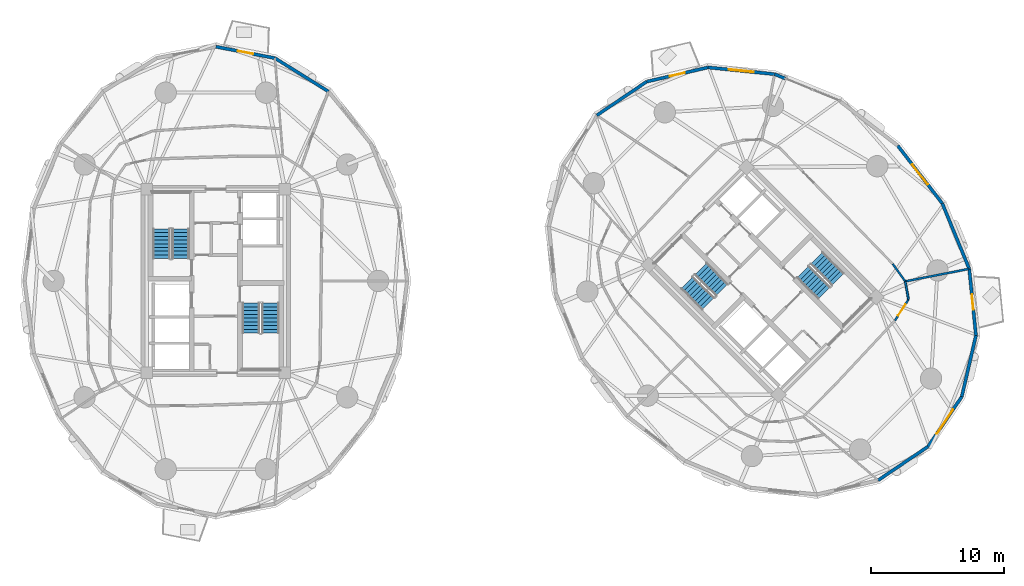
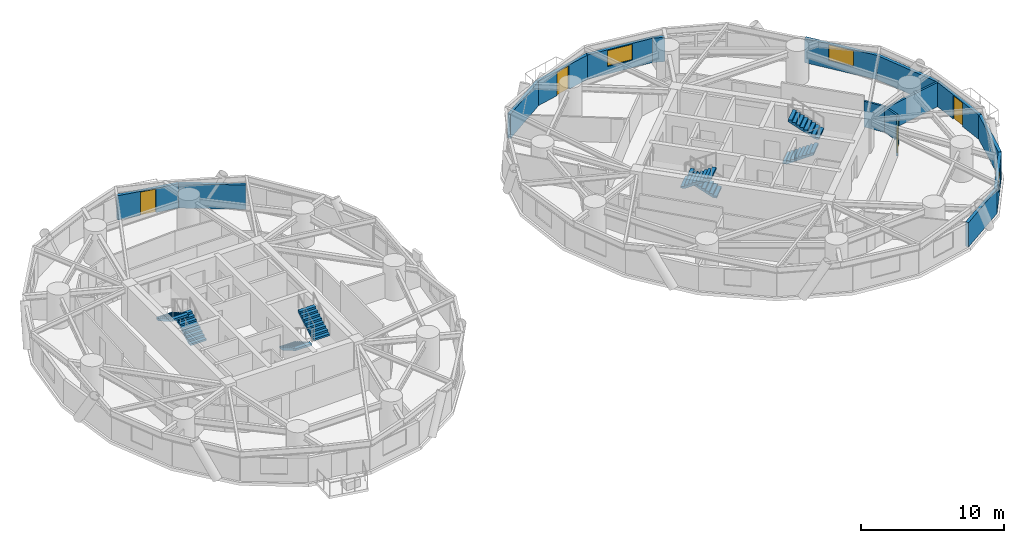
# One storey, part 12 of 15: 16 walls, 8 stair flights, 4 doors, 3 windows, 7 openings, 4 elements without a shape of their own.
"""IFC4 building model written with IfcOpenShell, lengths in metres."""

from ifc_helpers import new_model, si_unit, direction, frame, frame_2d, origin, place, context, subcontext, project, spatial, polyline, rectangle, outline, extrude, source, transform, mapped, material, layer, layer_set, type_object, element, fill, aggregate, save


model = new_model("IFC4")

# Units and contexts
model_context = context("Model", 3, precision=1e-05, world=origin(), true_north=direction((0.0, 1.0)))
body_context = subcontext(model_context, "Body", "Model", "MODEL_VIEW")
ifc_project = project(units=[si_unit("LENGTHUNIT", "METRE"), si_unit("AREAUNIT", "SQUARE_METRE"), si_unit("VOLUMEUNIT", "CUBIC_METRE"), si_unit("PLANEANGLEUNIT", "RADIAN"), si_unit("MASSUNIT", "GRAM", prefix="KILO")], contexts=[model_context])

# Site, building, storey
site_placement = place(None, origin())
site = spatial("IfcSite", under=ifc_project, at=site_placement, CompositionType="ELEMENT")
building_placement = place(site_placement, origin())
building = spatial("IfcBuilding", under=site, at=building_placement, Name="Cununo Teusaquillo Station Towers", CompositionType="ELEMENT")
storey_placement = place(building_placement, frame((0.0, 0.0, 24.909912109375)))
storey = spatial("IfcBuildingStorey", under=building, at=storey_placement, Name="L06", CompositionType="ELEMENT", Elevation=24.909912109375)

# Wall
ifc_material_1 = material(Name="Precast concrete C40/50", Category="concrete")
ifc_layer_1 = layer(ifc_material_1, 0.239990234375)
ifc_layer_set_1 = layer_set([ifc_layer_1], Name="Precast concrete C40/50")
wall_type_1 = type_object("IfcWallType", Name="WL-EXT-240", PredefinedType="SOLIDWALL", material=ifc_layer_set_1)
wall_1_placement = place(storey_placement, frame((20.934814453125, 41.210205078125, 0.0), z_axis=(0.0, 0.0, 1.0), x_axis=(0.848422721916, -0.529319265601, 0.0)))
element("IfcWall", 1, at=wall_1_placement, inside=storey, type_object=wall_type_1, Name="L06 Tower A Exterior Facade Wall C03", PredefinedType="SOLIDWALL", context=body_context, shape_type="SweptSolid", body=[
    extrude(rectangle(XDim=4.715087890625, YDim=0.239990234375, at=frame_2d((2.357421875, 0.0))), origin(), (0.0, 0.0, 1.0), 2.072998046875),
])

# Wall, opening, door
wall_2_placement = place(storey_placement, frame((16.5, 42.070068359375, 0.0), z_axis=(0.0, 0.0, 1.0), x_axis=(0.981717351035, -0.190344536766, 0.0)))
wall_2 = element("IfcWall", 2, at=wall_2_placement, inside=storey, type_object=wall_type_1, Name="L06 Tower A Exterior Facade Wall C04", PredefinedType="SOLIDWALL", context=body_context, shape_type="SweptSolid", body=[
    extrude(rectangle(XDim=4.517333984375, YDim=0.239990234375, at=frame_2d((2.2587890625, 0.0))), origin(), (0.0, 0.0, 1.0), 2.072998046875),
])
shared_shape_1 = source(origin(), body_context, "Body", "SweptSolid", [
    extrude(rectangle(XDim=1.14990234375, YDim=2.0048828125, at=frame_2d((0.574951171875, 1.00244140625))), frame((0.0, 0.1298828125, 0.0), z_axis=(0.0, -1.0, 0.0), x_axis=(1.0, 0.0, 0.0)), (0.0, 0.0, 1.0), 0.260009765625),
])
opening_1_placement = place(wall_2_placement, frame((1.68408203125, 0.0, 0.0)))
opening_1 = element("IfcOpeningElement", 3, at=opening_1_placement, cuts=wall_2, Name="Opening ED-03", PredefinedType="OPENING", context=body_context, shape_type="MappedRepresentation", body=[
    mapped(shared_shape_1, transform((0.0, 0.0, 0.0), x_axis=(1.0, 0.0, 0.0), y_axis=(0.0, 1.0, 0.0), z_axis=(0.0, 0.0, 1.0), scale=1.0)),
])
ifc_material_2 = material(Name="Anodised dark bronze aluminium EN AW-6063-T6", Category="aluminium")
door_type_1 = type_object("IfcDoorType", Name="DR-EXT-BAL", OperationType="NOTDEFINED", PredefinedType="DOOR", material=ifc_material_2)
shared_shape_2 = source(origin(), body_context, "Body", "SweptSolid", [
    extrude(rectangle(XDim=1.14990234375, YDim=2.0048828125, at=frame_2d((0.574951171875, 1.00244140625))), frame((0.0, 0.02490234375, 0.0), z_axis=(0.0, -1.0, 0.0), x_axis=(1.0, 0.0, 0.0)), (0.0, 0.0, 1.0), 0.050048828125),
])
door_1_placement = place(opening_1_placement, origin())
door_1 = element("IfcDoor", 4, at=door_1_placement, inside=storey, type_object=door_type_1, Name="L06 Tower A Tree Balcony Door C04", OperationType="SINGLE_SWING_LEFT", OverallHeight=2.0048828125, OverallWidth=1.14990234375, PredefinedType="DOOR", context=body_context, shape_type="MappedRepresentation", body=[
    mapped(shared_shape_2, transform((0.0, 0.0, 0.0), x_axis=(1.0, 0.0, 0.0), y_axis=(0.0, 1.0, 0.0), z_axis=(0.0, 0.0, 1.0), scale=1.0)),
])
fill(opening_1, door_1)

# Wall
wall_3_placement = place(storey_placement, frame((58.406982421875, 40.01220703125, 0.0), z_axis=(0.0, 0.0, 1.0), x_axis=(0.924556017656, -0.381046152345, 0.0)))
element("IfcWall", 5, at=wall_3_placement, inside=storey, type_object=wall_type_1, Name="L06 Tower B Column Pier Cladding Wall C01-PA", PredefinedType="SOLIDWALL", context=body_context, shape_type="SweptSolid", body=[
    extrude(rectangle(XDim=0.8701171875, YDim=0.239990234375, at=frame_2d((0.43505859375, 0.0))), origin(), (0.0, 0.0, 1.0), 2.072998046875),
])

# Wall, opening, window
wall_4_placement = place(storey_placement, frame((53.41357421875, 40.515869140625, 0.0), z_axis=(0.0, 0.0, 1.0), x_axis=(0.994951574538, -0.100356187272, 0.0)))
wall_4 = element("IfcWall", 6, at=wall_4_placement, inside=storey, type_object=wall_type_1, Name="L06 Tower B Exterior Facade Wall C02", PredefinedType="SOLIDWALL", context=body_context, shape_type="SweptSolid", body=[
    extrude(rectangle(XDim=5.018798828125, YDim=0.239990234375, at=frame_2d((2.50927734375, 0.0))), origin(), (0.0, 0.0, 1.0), 2.072998046875),
])
shared_shape_3 = source(origin(), body_context, "Body", "SweptSolid", [
    extrude(rectangle(XDim=1.89990234375, YDim=1.35009765625, at=frame_2d((0.949951171875, 0.675048828125))), frame((0.0, 0.1298828125, 0.0), z_axis=(0.0, -1.0, 0.0), x_axis=(1.0, 0.0, 0.0)), (0.0, 0.0, 1.0), 0.260009765625),
])
opening_2_placement = place(wall_4_placement, frame((1.55908203125, 0.0, 0.64990234375)))
opening_2 = element("IfcOpeningElement", 7, at=opening_2_placement, cuts=wall_4, Name="Opening WN-02", PredefinedType="OPENING", context=body_context, shape_type="MappedRepresentation", body=[
    mapped(shared_shape_3, transform((0.0, 0.0, 0.0), x_axis=(1.0, 0.0, 0.0), y_axis=(0.0, 1.0, 0.0), z_axis=(0.0, 0.0, 1.0), scale=1.0)),
])
ifc_material_3 = material(Name="Operable acoustic tinted low-E double glazing", Category="glass")
window_type_1 = type_object("IfcWindowType", Name="WIN-OPER-1900", PartitioningType="DOUBLE_PANEL_VERTICAL", PredefinedType="WINDOW", material=ifc_material_3)
shared_shape_4 = source(origin(), body_context, "Body", "SweptSolid", [
    extrude(rectangle(XDim=1.89990234375, YDim=1.35009765625, at=frame_2d((0.949951171875, 0.675048828125))), frame((0.0, 0.030029296875, 0.0), z_axis=(0.0, -1.0, 0.0), x_axis=(1.0, 0.0, 0.0)), (0.0, 0.0, 1.0), 0.06005859375),
])
window_1_placement = place(opening_2_placement, origin())
window_1 = element("IfcWindow", 8, at=window_1_placement, inside=storey, type_object=window_type_1, Name="L06 Tower B Facade Window C02", OverallHeight=1.35009765625, OverallWidth=1.89990234375, PartitioningType="DOUBLE_PANEL_VERTICAL", PredefinedType="WINDOW", context=body_context, shape_type="MappedRepresentation", body=[
    mapped(shared_shape_4, transform((0.0, 0.0, 0.0), x_axis=(1.0, 0.0, 0.0), y_axis=(0.0, 1.0, 0.0), z_axis=(0.0, 0.0, 1.0), scale=1.0)),
])
fill(opening_2, window_1)

# Wall, opening, door
wall_5_placement = place(storey_placement, frame((48.820068359375, 39.45166015625, 0.0), z_axis=(0.0, 0.0, 1.0), x_axis=(0.974197104074, 0.225698919833, 0.0)))
wall_5 = element("IfcWall", 9, at=wall_5_placement, inside=storey, type_object=wall_type_1, Name="L06 Tower B Exterior Facade Wall C03", PredefinedType="SOLIDWALL", context=body_context, shape_type="SweptSolid", body=[
    extrude(rectangle(XDim=4.715087890625, YDim=0.239990234375, at=frame_2d((2.357421875, 0.0))), origin(), (0.0, 0.0, 1.0), 2.072998046875),
])
opening_3_placement = place(wall_5_placement, frame((1.782958984375, 0.0, 0.0)))
opening_3 = element("IfcOpeningElement", 10, at=opening_3_placement, cuts=wall_5, Name="Opening ED-03", PredefinedType="OPENING", context=body_context, shape_type="MappedRepresentation", body=[
    mapped(shared_shape_1, transform((0.0, 0.0, 0.0), x_axis=(1.0, 0.0, 0.0), y_axis=(0.0, 1.0, 0.0), z_axis=(0.0, 0.0, 1.0), scale=1.0)),
])
door_2_placement = place(opening_3_placement, origin())
door_2 = element("IfcDoor", 11, at=door_2_placement, inside=storey, type_object=door_type_1, Name="L06 Tower B Tree Balcony Door C03", OperationType="SINGLE_SWING_LEFT", OverallHeight=2.0048828125, OverallWidth=1.14990234375, PredefinedType="DOOR", context=body_context, shape_type="MappedRepresentation", body=[
    mapped(shared_shape_2, transform((0.0, 0.0, 0.0), x_axis=(1.0, 0.0, 0.0), y_axis=(0.0, 1.0, 0.0), z_axis=(0.0, 0.0, 1.0), scale=1.0)),
])
fill(opening_3, door_2)

# Walls
for number, where, z_axis, x_axis, name in (
    (12, (45.076171875, 36.923828125, 0.0), (0.0, 0.0, 1.0), (0.828776615238, 0.559579594012, 0.0), "L06 Tower B Exterior Facade Wall C04"),
    (13, (69.923828125, 12.076171875, 0.0), (0.0, 0.0, 1.0), (-0.828776615238, -0.559579594012, 0.0), "L06 Tower B Exterior Facade Wall C14"),
):
    element("IfcWall", number, at=place(storey_placement, frame(where, z_axis=z_axis, x_axis=x_axis)), inside=storey, type_object=wall_type_1, Name=name, PredefinedType="SOLIDWALL", context=body_context, shape_type="SweptSolid", body=[
        extrude(rectangle(XDim=4.517333984375, YDim=0.239990234375, at=frame_2d((2.2587890625, 0.0))), origin(), (0.0, 0.0, 1.0), 2.072998046875),
    ])

# Wall, opening, window
wall_6_placement = place(storey_placement, frame((72.45166015625, 15.820068359375, 0.0), z_axis=(0.0, 0.0, 1.0), x_axis=(-0.559579594012, -0.828776615238, 0.0)))
wall_6 = element("IfcWall", 14, at=wall_6_placement, inside=storey, type_object=wall_type_1, Name="L06 Tower B Exterior Facade Wall C15", PredefinedType="SOLIDWALL", context=body_context, shape_type="SweptSolid", body=[
    extrude(rectangle(XDim=4.517333984375, YDim=0.239990234375, at=frame_2d((2.2587890625, 0.0))), origin(), (0.0, 0.0, 1.0), 2.072998046875),
])
shared_shape_5 = source(origin(), body_context, "Body", "SweptSolid", [
    extrude(rectangle(XDim=2.199951171875, YDim=1.35009765625, at=frame_2d((1.10009765625, 0.675048828125))), frame((0.0, 0.1298828125, 0.0), z_axis=(0.0, -1.0, 0.0), x_axis=(1.0, 0.0, 0.0)), (0.0, 0.0, 1.0), 0.260009765625),
])
opening_4_placement = place(wall_6_placement, frame((1.158935546875, 0.0, 0.64990234375)))
opening_4 = element("IfcOpeningElement", 15, at=opening_4_placement, cuts=wall_6, Name="Opening WN-01", PredefinedType="OPENING", context=body_context, shape_type="MappedRepresentation", body=[
    mapped(shared_shape_5, transform((0.0, 0.0, 0.0), x_axis=(1.0, 0.0, 0.0), y_axis=(0.0, 1.0, 0.0), z_axis=(0.0, 0.0, 1.0), scale=1.0)),
])
ifc_material_4 = material(Name="Ceramic-fritted dark low-E double glazing", Category="glass")
window_type_2 = type_object("IfcWindowType", Name="WIN-FRIT-2200", PartitioningType="DOUBLE_PANEL_VERTICAL", PredefinedType="WINDOW", material=ifc_material_4)
shared_shape_6 = source(origin(), body_context, "Body", "SweptSolid", [
    extrude(rectangle(XDim=2.199951171875, YDim=1.35009765625, at=frame_2d((1.10009765625, 0.675048828125))), frame((0.0, 0.030029296875, 0.0), z_axis=(0.0, -1.0, 0.0), x_axis=(1.0, 0.0, 0.0)), (0.0, 0.0, 1.0), 0.06005859375),
])
window_2_placement = place(opening_4_placement, origin())
window_2 = element("IfcWindow", 16, at=window_2_placement, inside=storey, type_object=window_type_2, Name="L06 Tower B Facade Window C15", OverallHeight=1.35009765625, OverallWidth=2.199951171875, PartitioningType="DOUBLE_PANEL_VERTICAL", PredefinedType="WINDOW", context=body_context, shape_type="MappedRepresentation", body=[
    mapped(shared_shape_6, transform((0.0, 0.0, 0.0), x_axis=(1.0, 0.0, 0.0), y_axis=(0.0, 1.0, 0.0), z_axis=(0.0, 0.0, 1.0), scale=1.0)),
])
fill(opening_4, window_2)

# Wall
wall_7_placement = place(storey_placement, frame((73.515869140625, 20.41357421875, 0.0), z_axis=(0.0, 0.0, 1.0), x_axis=(-0.225698919833, -0.974197104074, 0.0)))
element("IfcWall", 17, at=wall_7_placement, inside=storey, type_object=wall_type_1, Name="L06 Tower B Exterior Facade Wall C16", PredefinedType="SOLIDWALL", context=body_context, shape_type="SweptSolid", body=[
    extrude(rectangle(XDim=4.715087890625, YDim=0.239990234375, at=frame_2d((2.357421875, 0.0))), origin(), (0.0, 0.0, 1.0), 2.072998046875),
])

# Wall, opening, door
wall_8_placement = place(storey_placement, frame((73.01220703125, 25.406982421875, 0.0), z_axis=(0.0, 0.0, 1.0), x_axis=(0.100356187272, -0.994951574538, 0.0)))
wall_8 = element("IfcWall", 18, at=wall_8_placement, inside=storey, type_object=wall_type_1, Name="L06 Tower B Exterior Facade Wall C17", PredefinedType="SOLIDWALL", context=body_context, shape_type="SweptSolid", body=[
    extrude(rectangle(XDim=5.018798828125, YDim=0.239990234375, at=frame_2d((2.50927734375, 0.0))), origin(), (0.0, 0.0, 1.0), 2.072998046875),
])
opening_5_placement = place(wall_8_placement, frame((1.93408203125, 0.0, 0.0)))
opening_5 = element("IfcOpeningElement", 19, at=opening_5_placement, cuts=wall_8, Name="Opening ED-03", PredefinedType="OPENING", context=body_context, shape_type="MappedRepresentation", body=[
    mapped(shared_shape_1, transform((0.0, 0.0, 0.0), x_axis=(1.0, 0.0, 0.0), y_axis=(0.0, 1.0, 0.0), z_axis=(0.0, 0.0, 1.0), scale=1.0)),
])
door_3_placement = place(opening_5_placement, origin())
door_3 = element("IfcDoor", 20, at=door_3_placement, inside=storey, type_object=door_type_1, Name="L06 Tower B Tree Balcony Door C17", OperationType="SINGLE_SWING_LEFT", OverallHeight=2.0048828125, OverallWidth=1.14990234375, PredefinedType="DOOR", context=body_context, shape_type="MappedRepresentation", body=[
    mapped(shared_shape_2, transform((0.0, 0.0, 0.0), x_axis=(1.0, 0.0, 0.0), y_axis=(0.0, 1.0, 0.0), z_axis=(0.0, 0.0, 1.0), scale=1.0)),
])
fill(opening_5, door_3)

# Wall
wall_9_placement = place(storey_placement, frame((70.990234375, 30.31201171875, 0.0), z_axis=(0.0, 0.0, 1.0), x_axis=(0.381113147118, -0.924528403616, 0.0)))
element("IfcWall", 21, at=wall_9_placement, inside=storey, type_object=wall_type_1, Name="L06 Tower B Exterior Facade Wall C18", PredefinedType="SOLIDWALL", context=body_context, shape_type="SweptSolid", body=[
    extrude(rectangle(XDim=5.305419921875, YDim=0.239990234375, at=frame_2d((2.65283203125, 0.0))), origin(), (0.0, 0.0, 1.0), 2.072998046875),
])

# Wall, opening, window
wall_10_placement = place(storey_placement, frame((67.647705078125, 34.647705078125, 0.0), z_axis=(0.0, 0.0, 1.0), x_axis=(0.610557396243, -0.791972010801, 0.0)))
wall_10 = element("IfcWall", 22, at=wall_10_placement, inside=storey, type_object=wall_type_1, Name="L06 Tower B Exterior Facade Wall C19", PredefinedType="SOLIDWALL", context=body_context, shape_type="SweptSolid", body=[
    extrude(rectangle(XDim=5.474609375, YDim=0.239990234375, at=frame_2d((2.7373046875, 0.0))), origin(), (0.0, 0.0, 1.0), 2.072998046875),
])
opening_6_placement = place(wall_10_placement, frame((1.787109375, 0.0, 0.64990234375)))
opening_6 = element("IfcOpeningElement", 23, at=opening_6_placement, cuts=wall_10, Name="Opening WN-02", PredefinedType="OPENING", context=body_context, shape_type="MappedRepresentation", body=[
    mapped(shared_shape_3, transform((0.0, 0.0, 0.0), x_axis=(1.0, 0.0, 0.0), y_axis=(0.0, 1.0, 0.0), z_axis=(0.0, 0.0, 1.0), scale=1.0)),
])
window_3_placement = place(opening_6_placement, origin())
window_3 = element("IfcWindow", 24, at=window_3_placement, inside=storey, type_object=window_type_1, Name="L06 Tower B Facade Window C19", OverallHeight=1.35009765625, OverallWidth=1.89990234375, PartitioningType="DOUBLE_PANEL_VERTICAL", PredefinedType="WINDOW", context=body_context, shape_type="MappedRepresentation", body=[
    mapped(shared_shape_4, transform((0.0, 0.0, 0.0), x_axis=(1.0, 0.0, 0.0), y_axis=(0.0, 1.0, 0.0), z_axis=(0.0, 0.0, 1.0), scale=1.0)),
])
fill(opening_6, window_3)

# Wall, opening, door
ifc_material_5 = material(Name="Fire-rated gypsum plasterboard partition assembly", Category="gypsum")
ifc_layer_2 = layer(ifc_material_5, 0.14990234375)
ifc_layer_set_2 = layer_set([ifc_layer_2], Name="Fire-rated gypsum plasterboard partition assembly")
wall_type_2 = type_object("IfcWallType", Name="WL-PART-150", PredefinedType="PARTITIONING", material=ifc_layer_set_2)
wall_11_placement = place(storey_placement, frame((67.4345703125, 21.521484375, 0.0), z_axis=(0.0, 0.0, 1.0), x_axis=(0.540777197838, 0.841165870859, 0.0)))
wall_11 = element("IfcWall", 25, at=wall_11_placement, inside=storey, type_object=wall_type_2, Name="L06 Tower B Corridor Ring Wall C16", PredefinedType="PARTITIONING", context=body_context, shape_type="SweptSolid", body=[
    extrude(rectangle(XDim=1.887939453125, YDim=0.14990234375, at=frame_2d((0.94384765625, 0.0))), origin(), (0.0, 0.0, 1.0), 2.205078125),
])
shared_shape_7 = source(origin(), body_context, "Body", "SweptSolid", [
    extrude(rectangle(XDim=1.0, YDim=2.014892578125, at=frame_2d((0.5, 1.00732421875))), frame((0.0, 0.0849609375, 0.0), z_axis=(0.0, -1.0, 0.0), x_axis=(1.0, 0.0, 0.0)), (0.0, 0.0, 1.0), 0.169921875),
])
opening_7_placement = place(wall_11_placement, frame((0.44384765625, 0.0, 0.0)))
opening_7 = element("IfcOpeningElement", 26, at=opening_7_placement, cuts=wall_11, Name="Opening D-AC1", PredefinedType="OPENING", context=body_context, shape_type="MappedRepresentation", body=[
    mapped(shared_shape_7, transform((0.0, 0.0, 0.0), x_axis=(1.0, 0.0, 0.0), y_axis=(0.0, 1.0, 0.0), z_axis=(0.0, 0.0, 1.0), scale=1.0)),
])
ifc_material_6 = material(Name="Acoustic solid-core hardwood leaf assembly", Category="wood")
door_type_2 = type_object("IfcDoorType", Name="DR-ACC-1000", OperationType="NOTDEFINED", PredefinedType="DOOR", material=ifc_material_6)
shared_shape_8 = source(origin(), body_context, "Body", "SweptSolid", [
    extrude(rectangle(XDim=1.0, YDim=2.014892578125, at=frame_2d((0.5, 1.00732421875))), frame((0.0, 0.02490234375, 0.0), z_axis=(0.0, -1.0, 0.0), x_axis=(1.0, 0.0, 0.0)), (0.0, 0.0, 1.0), 0.050048828125),
])
door_4_placement = place(opening_7_placement, origin())
door_4 = element("IfcDoor", 27, at=door_4_placement, inside=storey, type_object=door_type_2, Name="L06 Tower B Public Accessible Restroom WC Entrance Door", OperationType="SINGLE_SWING_RIGHT", OverallHeight=2.014892578125, OverallWidth=1.0, PredefinedType="DOOR", context=body_context, shape_type="MappedRepresentation", body=[
    mapped(shared_shape_8, transform((0.0, 0.0, 0.0), x_axis=(1.0, 0.0, 0.0), y_axis=(0.0, 1.0, 0.0), z_axis=(0.0, 0.0, 1.0), scale=1.0)),
])
fill(opening_7, door_4)

# Walls
wall_12_placement = place(storey_placement, frame((68.45556640625, 23.109619140625, 0.0), z_axis=(0.0, 0.0, 1.0), x_axis=(-0.1772522795, 0.984165448191, 0.0)))
element("IfcWall", 28, at=wall_12_placement, inside=storey, type_object=wall_type_2, Name="L06 Tower B Corridor Ring Wall C17", PredefinedType="PARTITIONING", context=body_context, shape_type="SweptSolid", body=[
    extrude(rectangle(XDim=1.381591796875, YDim=0.14990234375, at=frame_2d((0.69091796875, 0.0))), origin(), (0.0, 0.0, 1.0), 2.1591796875),
])
wall_13_placement = place(storey_placement, frame((68.210693359375, 24.46923828125, 0.0), z_axis=(0.0, 0.0, 1.0), x_axis=(-0.583012141368, 0.812463441034, 0.0)))
element("IfcWall", 29, at=wall_13_placement, inside=storey, type_object=wall_type_2, Name="L06 Tower B Corridor Ring Wall C18", PredefinedType="PARTITIONING", context=body_context, shape_type="SweptSolid", body=[
    extrude(rectangle(XDim=1.613037109375, YDim=0.14990234375, at=frame_2d((0.806640625, 0.0))), origin(), (0.0, 0.0, 1.0), 2.205078125),
])
ifc_material_7 = material(Name="Fire-rated gypsum plasterboard partition assembly", Category="gypsum")
ifc_layer_3 = layer(ifc_material_7, 0.159912109375)
ifc_layer_set_3 = layer_set([ifc_layer_3], Name="Fire-rated gypsum plasterboard partition assembly")
wall_type_3 = type_object("IfcWallType", Name="WL-PART-160", PredefinedType="PARTITIONING", material=ifc_layer_set_3)
wall_14_placement = place(storey_placement, frame((68.210693359375, 24.46923828125, 0.0), z_axis=(0.0, 0.0, 1.0), x_axis=(0.981421381452, 0.19186472325, 0.0)))
element("IfcWall", 30, at=wall_14_placement, inside=storey, type_object=wall_type_3, Name="L06 Tower B Radial Suite Partition R05", PredefinedType="PARTITIONING", context=body_context, shape_type="SweptSolid", body=[
    extrude(rectangle(XDim=4.872314453125, YDim=0.159912109375, at=frame_2d((2.43603515625, 0.0))), origin(), (0.0, 0.0, 1.0), 2.072998046875),
])

# Stair, stair flights
ifc_material_8 = material(Name="Concrete C50/60", Category="concrete")
stair_type = type_object("IfcStairType", Name="ST-TWR-1300", PredefinedType="HALF_TURN_STAIR", material=ifc_material_8)
stair_1_placement = place(storey_placement, origin())
stair_1 = element("IfcStair", 31, at=stair_1_placement, inside=storey, type_object=stair_type, Name="L06 Tower A Protected Core Exit Stair 1", PredefinedType="HALF_TURN_STAIR")
ifc_material_9 = material(Name="Concrete C50/60", Category="concrete")
stair_flight_type = type_object("IfcStairFlightType", Name="SFL-TWR-1300", PredefinedType="STRAIGHT", material=ifc_material_9)
stair_flight_1_placement = place(storey_placement, frame((13.8701171875, 26.169921875, 0.0), z_axis=(0.0, 0.0, 1.0), x_axis=(0.0, 1.0, 0.0)))
stair_flight_1 = element("IfcStairFlight", 32, at=stair_flight_1_placement, type_object=stair_flight_type, Name="ST-T1-1 flight 1", NumberOfRisers=9, NumberOfTreads=8, PredefinedType="STRAIGHT", RiserHeight=0.161666667, TreadLength=0.28, context=body_context, shape_type="SweptSolid", body=[
    extrude(outline(polyline([(0.0, 0.0), (0.0, 0.16162109375), (0.280029296875, 0.16162109375), (0.280029296875, 0.3232421875), (0.56005859375, 0.3232421875), (0.56005859375, 0.485107421875), (0.840087890625, 0.485107421875), (0.840087890625, 0.646728515625), (1.1201171875, 0.646728515625), (1.1201171875, 0.808349609375), (1.39990234375, 0.808349609375), (1.39990234375, 0.969970703125), (1.679931640625, 0.969970703125), (1.679931640625, 1.131591796875), (1.9599609375, 1.131591796875), (1.9599609375, 1.293212890625), (2.239990234375, 1.293212890625), (2.239990234375, 1.455078125), (2.239990234375, 1.1201171875), (0.2998046875, 0.0), (0.0, 0.0)])), frame((0.0, 0.64990234375, 0.0), z_axis=(0.0, -1.0, 0.0), x_axis=(1.0, 0.0, 0.0)), (0.0, 0.0, 1.0), 1.300048828125),
])
stair_flight_2_placement = place(storey_placement, frame((12.409912109375, 28.409912109375, 1.455078125), z_axis=(0.0, 0.0, 1.0), x_axis=(0.0, -1.0, 0.0)))
stair_flight_2 = element("IfcStairFlight", 33, at=stair_flight_2_placement, type_object=stair_flight_type, Name="ST-T1-1 flight 2", NumberOfRisers=9, NumberOfTreads=8, PredefinedType="STRAIGHT", RiserHeight=0.161666667, TreadLength=0.28, context=body_context, shape_type="SweptSolid", body=[
    extrude(outline(polyline([(0.0, 0.0), (0.0, 0.16162109375), (0.280029296875, 0.16162109375), (0.280029296875, 0.3232421875), (0.56005859375, 0.3232421875), (0.56005859375, 0.485107421875), (0.840087890625, 0.485107421875), (0.840087890625, 0.646728515625), (1.1201171875, 0.646728515625), (1.1201171875, 0.808349609375), (1.39990234375, 0.808349609375), (1.39990234375, 0.969970703125), (1.679931640625, 0.969970703125), (1.679931640625, 1.131591796875), (1.9599609375, 1.131591796875), (1.9599609375, 1.293212890625), (2.239990234375, 1.293212890625), (2.239990234375, 1.455078125), (2.239990234375, 1.1201171875), (0.2998046875, 0.0), (0.0, 0.0)])), frame((0.0, 0.64990234375, 0.0), z_axis=(0.0, -1.0, 0.0), x_axis=(1.0, 0.0, 0.0)), (0.0, 0.0, 1.0), 1.300048828125),
])
aggregate(stair_1, [stair_flight_1, stair_flight_2])

stair_2_placement = place(storey_placement, origin())
stair_2 = element("IfcStair", 34, at=stair_2_placement, inside=storey, type_object=stair_type, Name="L06 Tower A Protected Core Exit Stair 2", PredefinedType="HALF_TURN_STAIR")
stair_flight_3_placement = place(storey_placement, frame((19.1298828125, 22.830078125, 0.0), z_axis=(0.0, 0.0, 1.0), x_axis=(0.0, -1.0, 0.0)))
stair_flight_3 = element("IfcStairFlight", 35, at=stair_flight_3_placement, type_object=stair_flight_type, Name="ST-T1-2 flight 1", NumberOfRisers=9, NumberOfTreads=8, PredefinedType="STRAIGHT", RiserHeight=0.161666667, TreadLength=0.28, context=body_context, shape_type="SweptSolid", body=[
    extrude(outline(polyline([(0.0, 0.0), (0.0, 0.16162109375), (0.280029296875, 0.16162109375), (0.280029296875, 0.3232421875), (0.56005859375, 0.3232421875), (0.56005859375, 0.485107421875), (0.840087890625, 0.485107421875), (0.840087890625, 0.646728515625), (1.1201171875, 0.646728515625), (1.1201171875, 0.808349609375), (1.39990234375, 0.808349609375), (1.39990234375, 0.969970703125), (1.679931640625, 0.969970703125), (1.679931640625, 1.131591796875), (1.9599609375, 1.131591796875), (1.9599609375, 1.293212890625), (2.239990234375, 1.293212890625), (2.239990234375, 1.455078125), (2.239990234375, 1.1201171875), (0.2998046875, 0.0), (0.0, 0.0)])), frame((0.0, 0.64990234375, 0.0), z_axis=(0.0, -1.0, 0.0), x_axis=(1.0, 0.0, 0.0)), (0.0, 0.0, 1.0), 1.300048828125),
])
stair_flight_4_placement = place(storey_placement, frame((20.590087890625, 20.590087890625, 1.455078125), z_axis=(0.0, 0.0, 1.0), x_axis=(0.0, 1.0, 0.0)))
stair_flight_4 = element("IfcStairFlight", 36, at=stair_flight_4_placement, type_object=stair_flight_type, Name="ST-T1-2 flight 2", NumberOfRisers=9, NumberOfTreads=8, PredefinedType="STRAIGHT", RiserHeight=0.161666667, TreadLength=0.28, context=body_context, shape_type="SweptSolid", body=[
    extrude(outline(polyline([(0.0, 0.0), (0.0, 0.16162109375), (0.280029296875, 0.16162109375), (0.280029296875, 0.3232421875), (0.56005859375, 0.3232421875), (0.56005859375, 0.485107421875), (0.840087890625, 0.485107421875), (0.840087890625, 0.646728515625), (1.1201171875, 0.646728515625), (1.1201171875, 0.808349609375), (1.39990234375, 0.808349609375), (1.39990234375, 0.969970703125), (1.679931640625, 0.969970703125), (1.679931640625, 1.131591796875), (1.9599609375, 1.131591796875), (1.9599609375, 1.293212890625), (2.239990234375, 1.293212890625), (2.239990234375, 1.455078125), (2.239990234375, 1.1201171875), (0.2998046875, 0.0), (0.0, 0.0)])), frame((0.0, 0.64990234375, 0.0), z_axis=(0.0, -1.0, 0.0), x_axis=(1.0, 0.0, 0.0)), (0.0, 0.0, 1.0), 1.300048828125),
])
aggregate(stair_2, [stair_flight_3, stair_flight_4])

stair_3_placement = place(storey_placement, origin())
stair_3 = element("IfcStair", 37, at=stair_3_placement, inside=storey, type_object=stair_type, Name="L06 Tower B Protected Core Exit Stair 1", PredefinedType="HALF_TURN_STAIR")
stair_flight_5_placement = place(storey_placement, frame((54.45947265625, 23.8212890625, 0.0), z_axis=(0.0, 0.0, 1.0), x_axis=(-0.707106781187, 0.707106781187, 0.0)))
stair_flight_5 = element("IfcStairFlight", 38, at=stair_flight_5_placement, type_object=stair_flight_type, Name="ST-T2-1 flight 1", NumberOfRisers=9, NumberOfTreads=8, PredefinedType="STRAIGHT", RiserHeight=0.161666667, TreadLength=0.28, context=body_context, shape_type="SweptSolid", body=[
    extrude(outline(polyline([(0.0, 0.0), (0.0, 0.16162109375), (0.280029296875, 0.16162109375), (0.280029296875, 0.3232421875), (0.56005859375, 0.3232421875), (0.56005859375, 0.485107421875), (0.840087890625, 0.485107421875), (0.840087890625, 0.646728515625), (1.1201171875, 0.646728515625), (1.1201171875, 0.808349609375), (1.39990234375, 0.808349609375), (1.39990234375, 0.969970703125), (1.679931640625, 0.969970703125), (1.679931640625, 1.131591796875), (1.9599609375, 1.131591796875), (1.9599609375, 1.293212890625), (2.239990234375, 1.293212890625), (2.239990234375, 1.455078125), (2.239990234375, 1.1201171875), (0.2998046875, 0.0), (0.0, 0.0)])), frame((0.0, 0.64990234375, 0.0), z_axis=(0.0, -1.0, 0.0), x_axis=(1.0, 0.0, 0.0)), (0.0, 0.0, 1.0), 1.300048828125),
])
stair_flight_6_placement = place(storey_placement, frame((51.84326171875, 24.372802734375, 1.455078125), z_axis=(0.0, 0.0, 1.0), x_axis=(0.707106781187, -0.707106781187, 0.0)))
stair_flight_6 = element("IfcStairFlight", 39, at=stair_flight_6_placement, type_object=stair_flight_type, Name="ST-T2-1 flight 2", NumberOfRisers=9, NumberOfTreads=8, PredefinedType="STRAIGHT", RiserHeight=0.161666667, TreadLength=0.28, context=body_context, shape_type="SweptSolid", body=[
    extrude(outline(polyline([(0.0, 0.0), (0.0, 0.16162109375), (0.280029296875, 0.16162109375), (0.280029296875, 0.3232421875), (0.56005859375, 0.3232421875), (0.56005859375, 0.485107421875), (0.840087890625, 0.485107421875), (0.840087890625, 0.646728515625), (1.1201171875, 0.646728515625), (1.1201171875, 0.808349609375), (1.39990234375, 0.808349609375), (1.39990234375, 0.969970703125), (1.679931640625, 0.969970703125), (1.679931640625, 1.131591796875), (1.9599609375, 1.131591796875), (1.9599609375, 1.293212890625), (2.239990234375, 1.293212890625), (2.239990234375, 1.455078125), (2.239990234375, 1.1201171875), (0.2998046875, 0.0), (0.0, 0.0)])), frame((0.0, 0.64990234375, 0.0), z_axis=(0.0, -1.0, 0.0), x_axis=(1.0, 0.0, 0.0)), (0.0, 0.0, 1.0), 1.300048828125),
])
aggregate(stair_3, [stair_flight_5, stair_flight_6])

stair_4_placement = place(storey_placement, origin())
stair_4 = element("IfcStair", 40, at=stair_4_placement, inside=storey, type_object=stair_type, Name="L06 Tower B Protected Core Exit Stair 2", PredefinedType="HALF_TURN_STAIR")
stair_flight_7_placement = place(storey_placement, frame((60.54052734375, 25.1787109375, 0.0), z_axis=(0.0, 0.0, 1.0), x_axis=(0.707106781187, -0.707106781187, 0.0)))
stair_flight_7 = element("IfcStairFlight", 41, at=stair_flight_7_placement, type_object=stair_flight_type, Name="ST-T2-2 flight 1", NumberOfRisers=9, NumberOfTreads=8, PredefinedType="STRAIGHT", RiserHeight=0.161666667, TreadLength=0.28, context=body_context, shape_type="SweptSolid", body=[
    extrude(outline(polyline([(0.0, 0.0), (0.0, 0.16162109375), (0.280029296875, 0.16162109375), (0.280029296875, 0.3232421875), (0.56005859375, 0.3232421875), (0.56005859375, 0.485107421875), (0.840087890625, 0.485107421875), (0.840087890625, 0.646728515625), (1.1201171875, 0.646728515625), (1.1201171875, 0.808349609375), (1.39990234375, 0.808349609375), (1.39990234375, 0.969970703125), (1.679931640625, 0.969970703125), (1.679931640625, 1.131591796875), (1.9599609375, 1.131591796875), (1.9599609375, 1.293212890625), (2.239990234375, 1.293212890625), (2.239990234375, 1.455078125), (2.239990234375, 1.1201171875), (0.2998046875, 0.0), (0.0, 0.0)])), frame((0.0, 0.64990234375, 0.0), z_axis=(0.0, -1.0, 0.0), x_axis=(1.0, 0.0, 0.0)), (0.0, 0.0, 1.0), 1.300048828125),
])
stair_flight_8_placement = place(storey_placement, frame((63.15673828125, 24.627197265625, 1.455078125), z_axis=(0.0, 0.0, 1.0), x_axis=(-0.707106781187, 0.707106781187, 0.0)))
stair_flight_8 = element("IfcStairFlight", 42, at=stair_flight_8_placement, type_object=stair_flight_type, Name="ST-T2-2 flight 2", NumberOfRisers=9, NumberOfTreads=8, PredefinedType="STRAIGHT", RiserHeight=0.161666667, TreadLength=0.28, context=body_context, shape_type="SweptSolid", body=[
    extrude(outline(polyline([(0.0, 0.0), (0.0, 0.16162109375), (0.280029296875, 0.16162109375), (0.280029296875, 0.3232421875), (0.56005859375, 0.3232421875), (0.56005859375, 0.485107421875), (0.840087890625, 0.485107421875), (0.840087890625, 0.646728515625), (1.1201171875, 0.646728515625), (1.1201171875, 0.808349609375), (1.39990234375, 0.808349609375), (1.39990234375, 0.969970703125), (1.679931640625, 0.969970703125), (1.679931640625, 1.131591796875), (1.9599609375, 1.131591796875), (1.9599609375, 1.293212890625), (2.239990234375, 1.293212890625), (2.239990234375, 1.455078125), (2.239990234375, 1.1201171875), (0.2998046875, 0.0), (0.0, 0.0)])), frame((0.0, 0.64990234375, 0.0), z_axis=(0.0, -1.0, 0.0), x_axis=(1.0, 0.0, 0.0)), (0.0, 0.0, 1.0), 1.300048828125),
])
aggregate(stair_4, [stair_flight_7, stair_flight_8])

save(model, "model.ifc")
